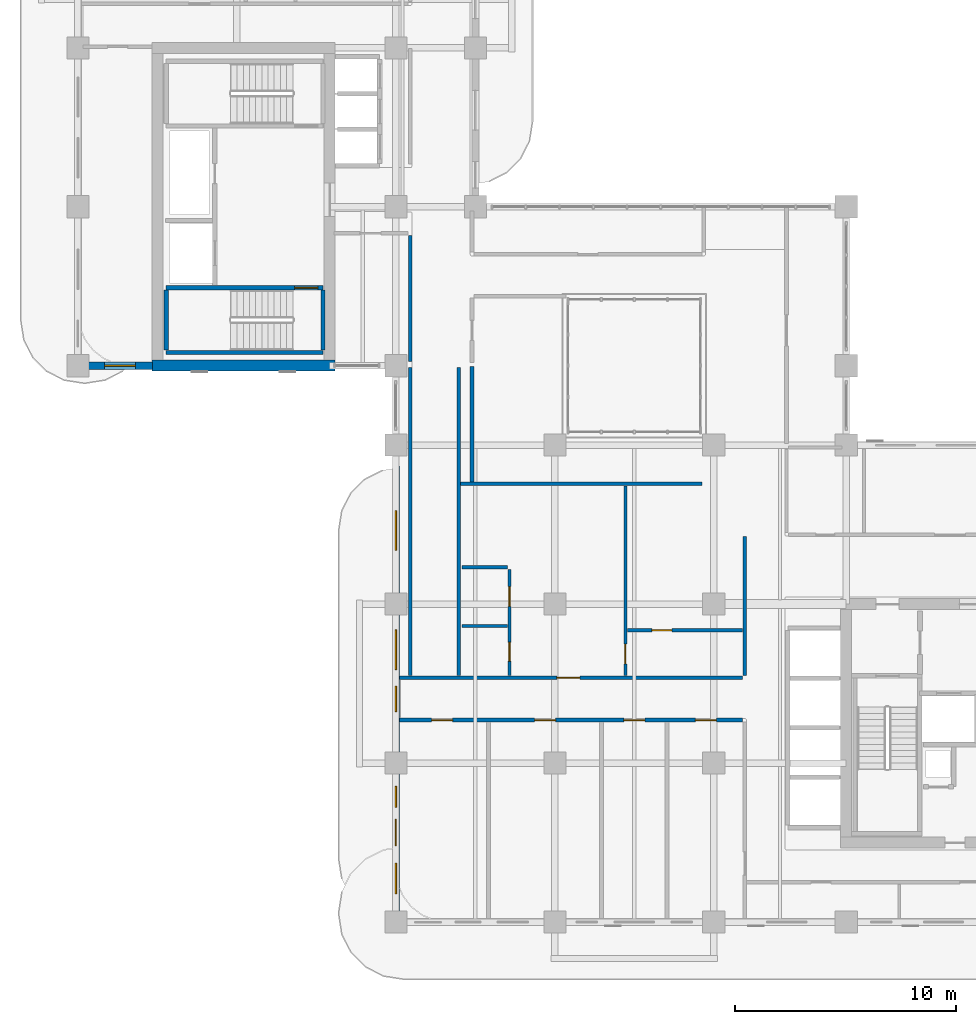
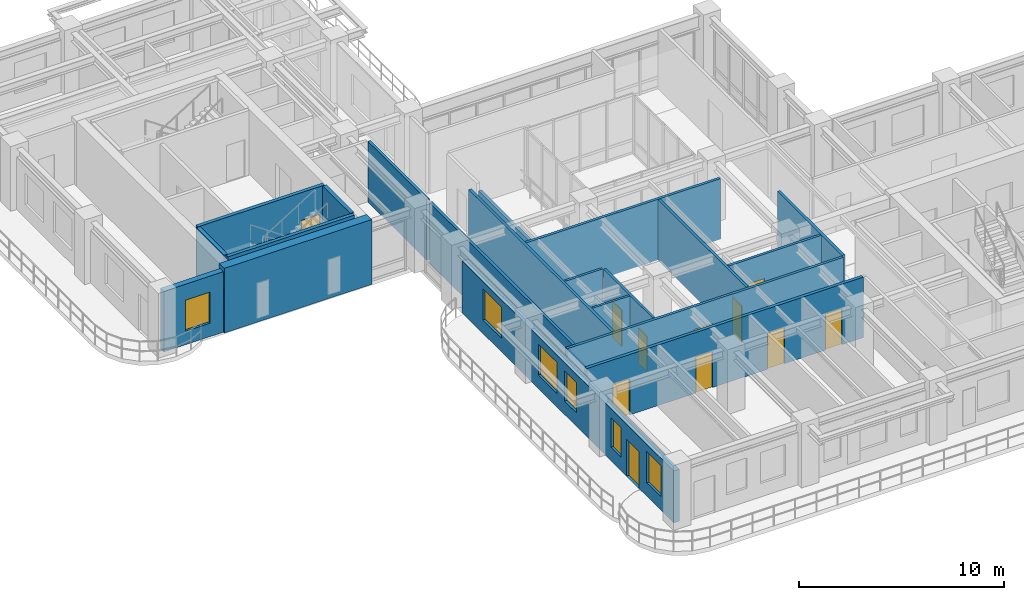
# One storey, part 11 of 20: 20 walls, 11 doors, 6 windows, 17 openings.
"""IFC4 building model written with IfcOpenShell, lengths in metres."""

from ifc_helpers import new_model, si_unit, derived_unit, direction, frame, frame_2d, origin, place, context, subcontext, project, spatial, rectangle, extrude, source, transform, mapped, material, layer, layer_set, type_object, type_shapes, element, fill, save


model = new_model("IFC4")

# Units and contexts
model_context = context("Model", 3, precision=1e-05, world=origin(), true_north=direction((0.0, 1.0)))
body_context = subcontext(model_context, "Body", "Model", "MODEL_VIEW")
ifc_project = project(units=[si_unit("LENGTHUNIT", "METRE"), si_unit("AREAUNIT", "SQUARE_METRE"), si_unit("VOLUMEUNIT", "CUBIC_METRE"), si_unit("PLANEANGLEUNIT", "RADIAN"), si_unit("MASSUNIT", "GRAM", prefix="KILO"), si_unit("THERMODYNAMICTEMPERATUREUNIT", "KELVIN"), si_unit("POWERUNIT", "WATT"), derived_unit("THERMALTRANSMITTANCEUNIT", [(si_unit("POWERUNIT", "WATT"), 1), (si_unit("AREAUNIT", "SQUARE_METRE"), -1), (si_unit("THERMODYNAMICTEMPERATUREUNIT", "KELVIN"), -1)])], contexts=[model_context])

# Site, building, storey
site_placement = place(None, origin())
site = spatial("IfcSite", under=ifc_project, at=site_placement, CompositionType="ELEMENT")
building_placement = place(site_placement, origin())
building = spatial("IfcBuilding", under=site, at=building_placement, Name="Zahravan Archway Hotel and Residences", CompositionType="ELEMENT")
storey_placement = place(building_placement, frame((0.0, 0.0, 161.85009765625)))
storey = spatial("IfcBuildingStorey", under=building, at=storey_placement, Name="L40", CompositionType="ELEMENT", Elevation=161.85009765625)

# Wall
ifc_material_1 = material(Name="Concrete C60/75", Category="concrete")
ifc_layer_1 = layer(ifc_material_1, 0.5, Name="Concrete C60/75", Category="concrete")
ifc_layer_set_1 = layer_set([ifc_layer_1], Name="Concrete C60/75")
wall_type_1 = type_object("IfcWallType", Name="CW-CORE-500", PredefinedType="SHEAR", material=ifc_layer_set_1)
wall_1_placement = place(storey_placement, frame((3.35009765625, 25.199951171875, 0.0), z_axis=(0.0, 0.0, 1.0), x_axis=(1.0, 0.0, 0.0)))
element("IfcWall", 1, at=wall_1_placement, inside=storey, type_object=wall_type_1, Name="L40 Core B Shear S Wall 500 mm", PredefinedType="SHEAR", context=body_context, shape_type="SweptSolid", body=[
    extrude(rectangle(XDim=8.2998046875, YDim=0.5, at=frame_2d((4.14990234375, 0.0))), origin(), (0.0, 0.0, 1.0), 3.849853515625),
])

# Wall, openings, door, windows
ifc_material_2 = material(Name="Agra Buff Sandstone & Insulated Backup", Category="masonry")
ifc_layer_2 = layer(ifc_material_2, 0.320068359375, Name="Agra Buff Sandstone & Insulated Backup", Category="masonry")
ifc_layer_set_2 = layer_set([ifc_layer_2], Name="Agra Buff Sandstone & Insulated Backup")
wall_type_2 = type_object("IfcWallType", Name="EW-SAND-320", PredefinedType="SOLIDWALL", material=ifc_layer_set_2)
wall_2_placement = place(storey_placement, frame((14.39990234375, 0.050048828125, 0.0), z_axis=(0.0, 0.0, 1.0), x_axis=(0.0, 1.0, 0.0)))
wall_2 = element("IfcWall", 2, at=wall_2_placement, inside=storey, type_object=wall_type_2, Name="L40 Exterior Sandstone Wall WA-WL", PredefinedType="SOLIDWALL", context=body_context, shape_type="SweptSolid", body=[
    extrude(rectangle(XDim=20.599853515625, YDim=0.320068359375, at=frame_2d((10.2998046875, 0.0))), origin(), (0.0, 0.0, 1.0), 3.0849609375),
])
opening_1_placement = place(wall_2_placement, frame((3.39990234375, 0.0, 0.0)))
opening_1 = element("IfcOpeningElement", 3, at=opening_1_placement, cuts=wall_2, Name="Opening ED-BL1", PredefinedType="OPENING", context=body_context, shape_type="SweptSolid", body=[
    extrude(rectangle(XDim=1.199951171875, YDim=2.199951171875, at=frame_2d((0.60009765625, 1.10009765625))), frame((0.0, 0.169921875, 0.0), z_axis=(0.0, -1.0, 0.0), x_axis=(1.0, 0.0, 0.0)), (0.0, 0.0, 1.0), 0.340087890625),
])
opening_2_placement = place(wall_2_placement, frame((1.22509765625, 0.0, 0.800048828125)))
opening_2 = element("IfcOpeningElement", 4, at=opening_2_placement, cuts=wall_2, Name="Opening W-03", PredefinedType="OPENING", context=body_context, shape_type="SweptSolid", body=[
    extrude(rectangle(XDim=1.39990234375, YDim=1.85009765625, at=frame_2d((0.699951171875, 0.925048828125))), frame((0.0, 0.169921875, 0.0), z_axis=(0.0, -1.0, 0.0), x_axis=(1.0, 0.0, 0.0)), (0.0, 0.0, 1.0), 0.340087890625),
])
opening_3_placement = place(wall_2_placement, frame((5.14990234375, 0.0, 0.800048828125)))
opening_3 = element("IfcOpeningElement", 5, at=opening_3_placement, cuts=wall_2, Name="Opening W-04", PredefinedType="OPENING", context=body_context, shape_type="SweptSolid", body=[
    extrude(rectangle(XDim=0.949951171875, YDim=1.75, at=frame_2d((0.47509765625, 0.875))), frame((0.0, 0.169921875, 0.0), z_axis=(0.0, -1.0, 0.0), x_axis=(1.0, 0.0, 0.0)), (0.0, 0.0, 1.0), 0.340087890625),
])
opening_4_placement = place(wall_2_placement, frame((9.485107421875, 0.0, 0.800048828125)))
opening_4 = element("IfcOpeningElement", 6, at=opening_4_placement, cuts=wall_2, Name="Opening W-05", PredefinedType="OPENING", context=body_context, shape_type="SweptSolid", body=[
    extrude(rectangle(XDim=1.14990234375, YDim=1.800048828125, at=frame_2d((0.574951171875, 0.89990234375))), frame((0.0, 0.169921875, 0.0), z_axis=(0.0, -1.0, 0.0), x_axis=(1.0, 0.0, 0.0)), (0.0, 0.0, 1.0), 0.340087890625),
])
opening_5_placement = place(wall_2_placement, frame((11.388916015625, 0.0, 0.800048828125)))
opening_5 = element("IfcOpeningElement", 7, at=opening_5_placement, cuts=wall_2, Name="Opening W-02", PredefinedType="OPENING", context=body_context, shape_type="SweptSolid", body=[
    extrude(rectangle(XDim=1.800048828125, YDim=1.85009765625, at=frame_2d((0.89990234375, 0.925048828125))), frame((0.0, 0.169921875, 0.0), z_axis=(0.0, -1.0, 0.0), x_axis=(1.0, 0.0, 0.0)), (0.0, 0.0, 1.0), 0.340087890625),
])
opening_6_placement = place(wall_2_placement, frame((16.7900390625, 0.0, 0.800048828125)))
opening_6 = element("IfcOpeningElement", 8, at=opening_6_placement, cuts=wall_2, Name="Opening W-02", PredefinedType="OPENING", context=body_context, shape_type="SweptSolid", body=[
    extrude(rectangle(XDim=1.800048828125, YDim=1.85009765625, at=frame_2d((0.89990234375, 0.925048828125))), frame((0.0, 0.169921875, 0.0), z_axis=(0.0, -1.0, 0.0), x_axis=(1.0, 0.0, 0.0)), (0.0, 0.0, 1.0), 0.340087890625),
])
ifc_material_3 = material(Name="Bronze-Anodized Glazed Aluminium", Category="aluminium")
door_type_1 = type_object("IfcDoorType", Name="ED-BALC-1200", OperationType="SLIDING_TO_LEFT", PredefinedType="DOOR", material=ifc_material_3)
shared_shape_1 = source(origin(), body_context, "Body", "SweptSolid", [
    extrude(rectangle(XDim=1.199951171875, YDim=2.199951171875, at=frame_2d((0.60009765625, 1.10009765625))), frame((0.0, 0.02490234375, 0.0), z_axis=(0.0, -1.0, 0.0), x_axis=(1.0, 0.0, 0.0)), (0.0, 0.0, 1.0), 0.050048828125),
])
type_shapes(door_type_1, [shared_shape_1])
door_1_placement = place(opening_1_placement, origin())
door_1 = element("IfcDoor", 9, at=door_1_placement, inside=storey, type_object=door_type_1, Name="L40 Outdoor Access Sliding Door (SLB-BAL-L40-WA)", OperationType="SLIDING_TO_LEFT", OverallHeight=2.199951171875, OverallWidth=1.199951171875, PredefinedType="DOOR", context=body_context, shape_type="MappedRepresentation", body=[
    mapped(shared_shape_1, transform((0.0, 0.0, 0.0), scale=1.0)),
])
fill(opening_1, door_1)
ifc_material_4 = material(Name="Bronze-Anodized Thermal-Break Aluminium & Low-E Glass", Category="aluminium")
window_type_1 = type_object("IfcWindowType", Name="WIN-TWR-1400", PartitioningType="SINGLE_PANEL", PredefinedType="WINDOW", material=ifc_material_4)
shared_shape_2 = source(origin(), body_context, "Body", "SweptSolid", [
    extrude(rectangle(XDim=1.39990234375, YDim=1.85009765625, at=frame_2d((0.699951171875, 0.925048828125))), frame((0.0, 0.030029296875, 0.0), z_axis=(0.0, -1.0, 0.0), x_axis=(1.0, 0.0, 0.0)), (0.0, 0.0, 1.0), 0.06005859375),
])
type_shapes(window_type_1, [shared_shape_2])
window_1_placement = place(opening_2_placement, origin())
window_1 = element("IfcWindow", 10, at=window_1_placement, inside=storey, type_object=window_type_1, Name="L40 Loggia Window 16", OverallHeight=1.85009765625, OverallWidth=1.39990234375, PartitioningType="SINGLE_PANEL", PredefinedType="WINDOW", context=body_context, shape_type="MappedRepresentation", body=[
    mapped(shared_shape_2, transform((0.0, 0.0, 0.0), scale=1.0)),
])
fill(opening_2, window_1)
window_type_2 = type_object("IfcWindowType", Name="WIN-NAR-950", PartitioningType="SINGLE_PANEL", PredefinedType="WINDOW", material=ifc_material_4)
shared_shape_3 = source(origin(), body_context, "Body", "SweptSolid", [
    extrude(rectangle(XDim=0.949951171875, YDim=1.75, at=frame_2d((0.47509765625, 0.875))), frame((0.0, 0.030029296875, 0.0), z_axis=(0.0, -1.0, 0.0), x_axis=(1.0, 0.0, 0.0)), (0.0, 0.0, 1.0), 0.06005859375),
])
type_shapes(window_type_2, [shared_shape_3])
window_2_placement = place(opening_3_placement, origin())
window_2 = element("IfcWindow", 11, at=window_2_placement, inside=storey, type_object=window_type_2, Name="L40 Loggia Window 17", OverallHeight=1.75, OverallWidth=0.949951171875, PartitioningType="SINGLE_PANEL", PredefinedType="WINDOW", context=body_context, shape_type="MappedRepresentation", body=[
    mapped(shared_shape_3, transform((0.0, 0.0, 0.0), scale=1.0)),
])
fill(opening_3, window_2)
window_type_3 = type_object("IfcWindowType", Name="WIN-TWR-1800", PartitioningType="DOUBLE_PANEL_VERTICAL", PredefinedType="WINDOW", material=ifc_material_4)
shared_shape_4 = source(origin(), body_context, "Body", "SweptSolid", [
    extrude(rectangle(XDim=1.800048828125, YDim=1.85009765625, at=frame_2d((0.89990234375, 0.925048828125))), frame((0.0, 0.030029296875, 0.0), z_axis=(0.0, -1.0, 0.0), x_axis=(1.0, 0.0, 0.0)), (0.0, 0.0, 1.0), 0.06005859375),
])
type_shapes(window_type_3, [shared_shape_4])
window_3_placement = place(opening_5_placement, origin())
window_3 = element("IfcWindow", 12, at=window_3_placement, inside=storey, type_object=window_type_3, Name="L40 Loggia Window 19", OverallHeight=1.85009765625, OverallWidth=1.800048828125, PartitioningType="DOUBLE_PANEL_VERTICAL", PredefinedType="WINDOW", context=body_context, shape_type="MappedRepresentation", body=[
    mapped(shared_shape_4, transform((0.0, 0.0, 0.0), scale=1.0)),
])
fill(opening_5, window_3)
window_4_placement = place(opening_6_placement, origin())
window_4 = element("IfcWindow", 13, at=window_4_placement, inside=storey, type_object=window_type_3, Name="L40 Loggia Window 20", OverallHeight=1.85009765625, OverallWidth=1.800048828125, PartitioningType="DOUBLE_PANEL_VERTICAL", PredefinedType="WINDOW", context=body_context, shape_type="MappedRepresentation", body=[
    mapped(shared_shape_4, transform((0.0, 0.0, 0.0), scale=1.0)),
])
fill(opening_6, window_4)
window_type_4 = type_object("IfcWindowType", Name="WIN-TWR-1150", PartitioningType="SINGLE_PANEL", PredefinedType="WINDOW", material=ifc_material_4)
shared_shape_5 = source(origin(), body_context, "Body", "SweptSolid", [
    extrude(rectangle(XDim=1.14990234375, YDim=1.800048828125, at=frame_2d((0.574951171875, 0.89990234375))), frame((0.0, 0.030029296875, 0.0), z_axis=(0.0, -1.0, 0.0), x_axis=(1.0, 0.0, 0.0)), (0.0, 0.0, 1.0), 0.06005859375),
])
type_shapes(window_type_4, [shared_shape_5])
window_5_placement = place(opening_4_placement, origin())
window_5 = element("IfcWindow", 14, at=window_5_placement, inside=storey, type_object=window_type_4, Name="L40 Loggia Window 18", OverallHeight=1.800048828125, OverallWidth=1.14990234375, PartitioningType="SINGLE_PANEL", PredefinedType="WINDOW", context=body_context, shape_type="MappedRepresentation", body=[
    mapped(shared_shape_5, transform((0.0, 0.0, 0.0), scale=1.0)),
])
fill(opening_4, window_5)

# Wall, opening, window
wall_3_placement = place(storey_placement, frame((0.0, 25.199951171875, 0.0), z_axis=(0.0, 0.0, 1.0), x_axis=(1.0, 0.0, 0.0)))
wall_3 = element("IfcWall", 15, at=wall_3_placement, inside=storey, type_object=wall_type_2, Name="L40 Exterior Sandstone Wall WB-SW", PredefinedType="SOLIDWALL", context=body_context, shape_type="SweptSolid", body=[
    extrude(rectangle(XDim=3.3798828125, YDim=0.320068359375, at=frame_2d((1.68994140625, 0.0))), origin(), (0.0, 0.0, 1.0), 3.599853515625),
])
opening_7_placement = place(wall_3_placement, frame((1.205078125, 0.0, 0.800048828125)))
opening_7 = element("IfcOpeningElement", 16, at=opening_7_placement, cuts=wall_3, Name="Opening W-03", PredefinedType="OPENING", context=body_context, shape_type="SweptSolid", body=[
    extrude(rectangle(XDim=1.39990234375, YDim=1.85009765625, at=frame_2d((0.699951171875, 0.925048828125))), frame((0.0, 0.169921875, 0.0), z_axis=(0.0, -1.0, 0.0), x_axis=(1.0, 0.0, 0.0)), (0.0, 0.0, 1.0), 0.340087890625),
])
window_6_placement = place(opening_7_placement, origin())
window_6 = element("IfcWindow", 17, at=window_6_placement, inside=storey, type_object=window_type_1, Name="L40 Loggia Window 21", OverallHeight=1.85009765625, OverallWidth=1.39990234375, PartitioningType="SINGLE_PANEL", PredefinedType="WINDOW", context=body_context, shape_type="MappedRepresentation", body=[
    mapped(shared_shape_2, transform((0.0, 0.0, 0.0), scale=1.0)),
])
fill(opening_7, window_6)

# Wall, opening, door
ifc_material_5 = material(Name="Fire-Rated Gypsum & Concrete Block", Category="concrete")
ifc_layer_3 = layer(ifc_material_5, 0.159912109375, Name="Fire-Rated Gypsum & Concrete Block", Category="concrete")
ifc_layer_set_3 = layer_set([ifc_layer_3], Name="Fire-Rated Gypsum & Concrete Block")
wall_type_3 = type_object("IfcWallType", Name="PW-CORR-160", PredefinedType="PARTITIONING", material=ifc_layer_set_3)
wall_4_placement = place(storey_placement, frame((14.568115234375, 11.070068359375, 0.0), z_axis=(0.0, 0.0, 1.0), x_axis=(1.0, 0.0, 0.0)))
wall_4 = element("IfcWall", 18, at=wall_4_placement, inside=storey, type_object=wall_type_3, Name="L40 Partition WA-CN", PredefinedType="PARTITIONING", context=body_context, shape_type="SweptSolid", body=[
    extrude(rectangle(XDim=15.5419921875, YDim=0.159912109375, at=frame_2d((7.77099609375, 0.0))), origin(), (0.0, 0.0, 1.0), 3.599853515625),
])
opening_8_placement = place(wall_4_placement, frame((7.1220703125, 0.0, 0.0)))
opening_8 = element("IfcOpeningElement", 19, at=opening_8_placement, cuts=wall_4, Name="Opening D-U1", PredefinedType="OPENING", context=body_context, shape_type="SweptSolid", body=[
    extrude(rectangle(XDim=1.050048828125, YDim=2.25, at=frame_2d((0.52490234375, 1.125))), frame((0.0, 0.08984375, 0.0), z_axis=(0.0, -1.0, 0.0), x_axis=(1.0, 0.0, 0.0)), (0.0, 0.0, 1.0), 0.179931640625),
])
ifc_material_6 = material(Name="Hardwood Veneer Timber", Category="wood")
door_type_2 = type_object("IfcDoorType", Name="ID-UNIT-1050", OperationType="NOTDEFINED", PredefinedType="DOOR", material=ifc_material_6)
shared_shape_6 = source(origin(), body_context, "Body", "SweptSolid", [
    extrude(rectangle(XDim=1.050048828125, YDim=2.25, at=frame_2d((0.52490234375, 1.125))), frame((0.0, 0.02490234375, 0.0), z_axis=(0.0, -1.0, 0.0), x_axis=(1.0, 0.0, 0.0)), (0.0, 0.0, 1.0), 0.050048828125),
])
type_shapes(door_type_2, [shared_shape_6])
door_2_placement = place(opening_8_placement, origin())
door_2 = element("IfcDoor", 20, at=door_2_placement, inside=storey, type_object=door_type_2, Name="L40 Flat AT1 Entrance Door", OperationType="SINGLE_SWING_LEFT", OverallHeight=2.25, OverallWidth=1.050048828125, PredefinedType="DOOR", context=body_context, shape_type="MappedRepresentation", body=[
    mapped(shared_shape_6, transform((0.0, 0.0, 0.0), scale=1.0)),
])
fill(opening_8, door_2)

# Walls
wall_5_placement = place(storey_placement, frame((30.199951171875, 11.159912109375, 0.0), z_axis=(0.0, 0.0, 1.0), x_axis=(0.0, 1.0, 0.0)))
element("IfcWall", 21, at=wall_5_placement, inside=storey, type_object=wall_type_3, Name="L40 Partition WA-FW", PredefinedType="PARTITIONING", context=body_context, shape_type="SweptSolid", body=[
    extrude(rectangle(XDim=6.300048828125, YDim=0.159912109375, at=frame_2d((3.14990234375, 0.0))), origin(), (0.0, 0.0, 1.0), 3.599853515625),
])
for number, where, z_axis, x_axis, name in (
    (22, (15.050048828125, 11.159912109375, 0.0), (0.0, 0.0, 1.0), (0.0, 1.0, 0.0), "L40 Partition LNK-W"),
    (23, (17.25, 11.159912109375, 0.0), (0.0, 0.0, 1.0), (0.0, 1.0, 0.0), "L40 Partition LNK-E"),
):
    element("IfcWall", number, at=place(storey_placement, frame(where, z_axis=z_axis, x_axis=x_axis)), inside=storey, type_object=wall_type_3, Name=name, PredefinedType="PARTITIONING", context=body_context, shape_type="SweptSolid", body=[
        extrude(rectangle(XDim=13.9501953125, YDim=0.159912109375, at=frame_2d((6.97509765625, 0.0))), origin(), (0.0, 0.0, 1.0), 3.599853515625),
    ])
wall_6_placement = place(storey_placement, frame((15.050048828125, 25.389892578125, 0.0), z_axis=(0.0, 0.0, 1.0), x_axis=(0.0, 1.0, 0.0)))
element("IfcWall", 24, at=wall_6_placement, inside=storey, type_object=wall_type_3, Name="L40 Partition FB1-E", PredefinedType="PARTITIONING", context=body_context, shape_type="SweptSolid", body=[
    extrude(rectangle(XDim=5.72021484375, YDim=0.159912109375, at=frame_2d((2.860107421875, 0.0))), origin(), (0.0, 0.0, 1.0), 3.599853515625),
])
wall_7_placement = place(storey_placement, frame((17.340087890625, 19.85009765625, 0.0), z_axis=(0.0, 0.0, 1.0), x_axis=(1.0, 0.0, 0.0)))
element("IfcWall", 25, at=wall_7_placement, inside=storey, type_object=wall_type_3, Name="L40 Partition ATR-S", PredefinedType="PARTITIONING", context=body_context, shape_type="SweptSolid", body=[
    extrude(rectangle(XDim=10.919921875, YDim=0.159912109375, at=frame_2d((5.4599609375, 0.0))), origin(), (0.0, 0.0, 1.0), 3.599853515625),
])

# Wall, openings, doors
ifc_layer_4 = layer(ifc_material_5, 0.179931640625, Name="Fire-Rated Gypsum & Concrete Block", Category="concrete")
ifc_layer_set_4 = layer_set([ifc_layer_4], Name="Fire-Rated Gypsum & Concrete Block")
wall_type_4 = type_object("IfcWallType", Name="PW-CORR-180", PredefinedType="PARTITIONING", material=ifc_layer_set_4)
wall_8_placement = place(storey_placement, frame((14.568115234375, 9.14990234375, 0.0), z_axis=(0.0, 0.0, 1.0), x_axis=(1.0, 0.0, 0.0)))
wall_8 = element("IfcWall", 26, at=wall_8_placement, inside=storey, type_object=wall_type_4, Name="L40 Partition WA-CS", PredefinedType="PARTITIONING", context=body_context, shape_type="SweptSolid", body=[
    extrude(rectangle(XDim=15.5419921875, YDim=0.179931640625, at=frame_2d((7.77099609375, 0.0))), origin(), (0.0, 0.0, 1.0), 3.599853515625),
])
opening_9_placement = place(wall_8_placement, frame((1.45703125, 0.0, 0.0)))
opening_9 = element("IfcOpeningElement", 27, at=opening_9_placement, cuts=wall_8, Name="Opening D-I1", PredefinedType="OPENING", context=body_context, shape_type="SweptSolid", body=[
    extrude(rectangle(XDim=0.949951171875, YDim=2.14990234375, at=frame_2d((0.47509765625, 1.074951171875))), frame((0.0, 0.10009765625, 0.0), z_axis=(0.0, -1.0, 0.0), x_axis=(1.0, 0.0, 0.0)), (0.0, 0.0, 1.0), 0.199951171875),
])
opening_10_placement = place(wall_8_placement, frame((6.116943359375, 0.0, 0.0)))
opening_10 = element("IfcOpeningElement", 28, at=opening_10_placement, cuts=wall_8, Name="Opening D-I1", PredefinedType="OPENING", context=body_context, shape_type="SweptSolid", body=[
    extrude(rectangle(XDim=0.949951171875, YDim=2.14990234375, at=frame_2d((0.47509765625, 1.074951171875))), frame((0.0, 0.10009765625, 0.0), z_axis=(0.0, -1.0, 0.0), x_axis=(1.0, 0.0, 0.0)), (0.0, 0.0, 1.0), 0.199951171875),
])
opening_11_placement = place(wall_8_placement, frame((10.156982421875, 0.0, 0.0)))
opening_11 = element("IfcOpeningElement", 29, at=opening_11_placement, cuts=wall_8, Name="Opening D-I1", PredefinedType="OPENING", context=body_context, shape_type="SweptSolid", body=[
    extrude(rectangle(XDim=0.949951171875, YDim=2.14990234375, at=frame_2d((0.47509765625, 1.074951171875))), frame((0.0, 0.10009765625, 0.0), z_axis=(0.0, -1.0, 0.0), x_axis=(1.0, 0.0, 0.0)), (0.0, 0.0, 1.0), 0.199951171875),
])
opening_12_placement = place(wall_8_placement, frame((13.39697265625, 0.0, 0.0)))
opening_12 = element("IfcOpeningElement", 30, at=opening_12_placement, cuts=wall_8, Name="Opening D-I1", PredefinedType="OPENING", context=body_context, shape_type="SweptSolid", body=[
    extrude(rectangle(XDim=0.949951171875, YDim=2.14990234375, at=frame_2d((0.47509765625, 1.074951171875))), frame((0.0, 0.10009765625, 0.0), z_axis=(0.0, -1.0, 0.0), x_axis=(1.0, 0.0, 0.0)), (0.0, 0.0, 1.0), 0.199951171875),
])
door_type_3 = type_object("IfcDoorType", Name="ID-INT-950", OperationType="NOTDEFINED", PredefinedType="DOOR", material=ifc_material_6)
shared_shape_7 = source(origin(), body_context, "Body", "SweptSolid", [
    extrude(rectangle(XDim=0.949951171875, YDim=2.14990234375, at=frame_2d((0.47509765625, 1.074951171875))), frame((0.0, 0.02490234375, 0.0), z_axis=(0.0, -1.0, 0.0), x_axis=(1.0, 0.0, 0.0)), (0.0, 0.0, 1.0), 0.050048828125),
])
type_shapes(door_type_3, [shared_shape_7])
door_3_placement = place(opening_9_placement, origin())
door_3 = element("IfcDoor", 31, at=door_3_placement, inside=storey, type_object=door_type_3, Name="L40 Office 1 Door", OperationType="SINGLE_SWING_RIGHT", OverallHeight=2.14990234375, OverallWidth=0.949951171875, PredefinedType="DOOR", context=body_context, shape_type="MappedRepresentation", body=[
    mapped(shared_shape_7, transform((0.0, 0.0, 0.0), scale=1.0)),
])
fill(opening_9, door_3)
door_4_placement = place(opening_10_placement, origin())
door_4 = element("IfcDoor", 32, at=door_4_placement, inside=storey, type_object=door_type_3, Name="L40 Office 2 Door", OperationType="SINGLE_SWING_LEFT", OverallHeight=2.14990234375, OverallWidth=0.949951171875, PredefinedType="DOOR", context=body_context, shape_type="MappedRepresentation", body=[
    mapped(shared_shape_7, transform((0.0, 0.0, 0.0), scale=1.0)),
])
fill(opening_10, door_4)
door_5_placement = place(opening_11_placement, origin())
door_5 = element("IfcDoor", 33, at=door_5_placement, inside=storey, type_object=door_type_3, Name="L40 Office 3 Door", OperationType="SINGLE_SWING_RIGHT", OverallHeight=2.14990234375, OverallWidth=0.949951171875, PredefinedType="DOOR", context=body_context, shape_type="MappedRepresentation", body=[
    mapped(shared_shape_7, transform((0.0, 0.0, 0.0), scale=1.0)),
])
fill(opening_11, door_5)
door_6_placement = place(opening_12_placement, origin())
door_6 = element("IfcDoor", 34, at=door_6_placement, inside=storey, type_object=door_type_3, Name="L40 Boardroom Door", OperationType="SINGLE_SWING_LEFT", OverallHeight=2.14990234375, OverallWidth=0.949951171875, PredefinedType="DOOR", context=body_context, shape_type="MappedRepresentation", body=[
    mapped(shared_shape_7, transform((0.0, 0.0, 0.0), scale=1.0)),
])
fill(opening_12, door_6)

# Wall, opening, door
ifc_material_7 = material(Name="Acoustic Stud Partition")
ifc_layer_5 = layer(ifc_material_7, 0.14990234375, Name="Acoustic Stud Partition")
ifc_layer_set_5 = layer_set([ifc_layer_5], Name="Acoustic Stud Partition")
wall_type_5 = type_object("IfcWallType", Name="PW-UNIT-150", PredefinedType="PARTITIONING", material=ifc_layer_set_5)
wall_9_placement = place(storey_placement, frame((24.800048828125, 11.159912109375, 0.0), z_axis=(0.0, 0.0, 1.0), x_axis=(0.0, 1.0, 0.0)))
wall_9 = element("IfcWall", 35, at=wall_9_placement, inside=storey, type_object=wall_type_5, Name="L40 Partition FL-AT1-SP", PredefinedType="PARTITIONING", context=body_context, shape_type="SweptSolid", body=[
    extrude(rectangle(XDim=8.60009765625, YDim=0.14990234375, at=frame_2d((4.300048828125, 0.0))), origin(), (0.0, 0.0, 1.0), 3.599853515625),
])
opening_13_placement = place(wall_9_placement, frame((0.534912109375, 0.0, 0.0)))
opening_13 = element("IfcOpeningElement", 36, at=opening_13_placement, cuts=wall_9, Name="Opening D-I2", PredefinedType="OPENING", context=body_context, shape_type="SweptSolid", body=[
    extrude(rectangle(XDim=0.89990234375, YDim=2.14990234375, at=frame_2d((0.449951171875, 1.074951171875))), frame((0.0, 0.0849609375, 0.0), z_axis=(0.0, -1.0, 0.0), x_axis=(1.0, 0.0, 0.0)), (0.0, 0.0, 1.0), 0.169921875),
])
door_type_4 = type_object("IfcDoorType", Name="ID-INT-900", OperationType="NOTDEFINED", PredefinedType="DOOR", material=ifc_material_6)
shared_shape_8 = source(origin(), body_context, "Body", "SweptSolid", [
    extrude(rectangle(XDim=0.89990234375, YDim=2.14990234375, at=frame_2d((0.449951171875, 1.074951171875))), frame((0.0, 0.02490234375, 0.0), z_axis=(0.0, -1.0, 0.0), x_axis=(1.0, 0.0, 0.0)), (0.0, 0.0, 1.0), 0.050048828125),
])
type_shapes(door_type_4, [shared_shape_8])
door_7_placement = place(opening_13_placement, origin())
door_7 = element("IfcDoor", 37, at=door_7_placement, inside=storey, type_object=door_type_4, Name="L40 Flat AT1 Bedroom Hall Door", OperationType="SINGLE_SWING_RIGHT", OverallHeight=2.14990234375, OverallWidth=0.89990234375, PredefinedType="DOOR", context=body_context, shape_type="MappedRepresentation", body=[
    mapped(shared_shape_8, transform((0.0, 0.0, 0.0), scale=1.0)),
])
fill(opening_13, door_7)

wall_10_placement = place(storey_placement, frame((24.889892578125, 13.219970703125, 0.0), z_axis=(0.0, 0.0, 1.0), x_axis=(1.0, 0.0, 0.0)))
wall_10 = element("IfcWall", 38, at=wall_10_placement, inside=storey, type_object=wall_type_5, Name="L40 Partition FL-AT1-GH", PredefinedType="PARTITIONING", context=body_context, shape_type="SweptSolid", body=[
    extrude(rectangle(XDim=5.22021484375, YDim=0.14990234375, at=frame_2d((2.610107421875, 0.0))), origin(), (0.0, 0.0, 1.0), 3.599853515625),
])
opening_14_placement = place(wall_10_placement, frame((1.110107421875, 0.0, 0.0)))
opening_14 = element("IfcOpeningElement", 39, at=opening_14_placement, cuts=wall_10, Name="Opening D-I2", PredefinedType="OPENING", context=body_context, shape_type="SweptSolid", body=[
    extrude(rectangle(XDim=0.89990234375, YDim=2.14990234375, at=frame_2d((0.449951171875, 1.074951171875))), frame((0.0, 0.0849609375, 0.0), z_axis=(0.0, -1.0, 0.0), x_axis=(1.0, 0.0, 0.0)), (0.0, 0.0, 1.0), 0.169921875),
])
door_8_placement = place(opening_14_placement, origin())
door_8 = element("IfcDoor", 40, at=door_8_placement, inside=storey, type_object=door_type_4, Name="L40 Flat AT1 Bedroom 1 Door", OperationType="SINGLE_SWING_LEFT", OverallHeight=2.14990234375, OverallWidth=0.89990234375, PredefinedType="DOOR", context=body_context, shape_type="MappedRepresentation", body=[
    mapped(shared_shape_8, transform((0.0, 0.0, 0.0), scale=1.0)),
])
fill(opening_14, door_8)

# Wall
ifc_layer_6 = layer(ifc_material_7, 0.169921875, Name="Acoustic Stud Partition")
ifc_layer_set_6 = layer_set([ifc_layer_6], Name="Acoustic Stud Partition")
wall_type_6 = type_object("IfcWallType", Name="PW-UNIT-170", PredefinedType="PARTITIONING", material=ifc_layer_set_6)
wall_11_placement = place(storey_placement, frame((17.85009765625, 19.93994140625, 0.0), z_axis=(0.0, 0.0, 1.0), x_axis=(0.0, 1.0, 0.0)))
element("IfcWall", 41, at=wall_11_placement, inside=storey, type_object=wall_type_6, Name="L40 Partition ATR-NWSL", PredefinedType="PARTITIONING", context=body_context, shape_type="SweptSolid", body=[
    extrude(rectangle(XDim=5.219970703125, YDim=0.169921875, at=frame_2d((2.60986328125, 0.0))), origin(), (0.0, 0.0, 1.0), 3.284912109375),
])

# Wall, openings, doors
ifc_material_8 = material(Name="Moisture-Resistant Blockwork", Category="masonry")
ifc_layer_7 = layer(ifc_material_8, 0.139892578125, Name="Moisture-Resistant Blockwork", Category="masonry")
ifc_layer_set_7 = layer_set([ifc_layer_7], Name="Moisture-Resistant Blockwork")
wall_type_7 = type_object("IfcWallType", Name="PW-WET-140", PredefinedType="PARTITIONING", material=ifc_layer_set_7)
wall_12_placement = place(storey_placement, frame((19.550048828125, 11.159912109375, 0.0), z_axis=(0.0, 0.0, 1.0), x_axis=(0.0, 1.0, 0.0)))
wall_12 = element("IfcWall", 42, at=wall_12_placement, inside=storey, type_object=wall_type_7, Name="L40 Partition FL-AT1-BV", PredefinedType="PARTITIONING", context=body_context, shape_type="SweptSolid", body=[
    extrude(rectangle(XDim=4.820068359375, YDim=0.139892578125, at=frame_2d((2.41015625, 0.0))), origin(), (0.0, 0.0, 1.0), 3.599853515625),
])
opening_15_placement = place(wall_12_placement, frame((0.659912109375, 0.0, 0.0)))
opening_15 = element("IfcOpeningElement", 43, at=opening_15_placement, cuts=wall_12, Name="Opening D-B1", PredefinedType="OPENING", context=body_context, shape_type="SweptSolid", body=[
    extrude(rectangle(XDim=0.85009765625, YDim=2.10009765625, at=frame_2d((0.425048828125, 1.050048828125))), frame((0.0, 0.080078125, 0.0), z_axis=(0.0, -1.0, 0.0), x_axis=(1.0, 0.0, 0.0)), (0.0, 0.0, 1.0), 0.159912109375),
])
opening_16_placement = place(wall_12_placement, frame((3.135009765625, 0.0, 0.0)))
opening_16 = element("IfcOpeningElement", 44, at=opening_16_placement, cuts=wall_12, Name="Opening D-I2", PredefinedType="OPENING", context=body_context, shape_type="SweptSolid", body=[
    extrude(rectangle(XDim=0.89990234375, YDim=2.14990234375, at=frame_2d((0.449951171875, 1.074951171875))), frame((0.0, 0.080078125, 0.0), z_axis=(0.0, -1.0, 0.0), x_axis=(1.0, 0.0, 0.0)), (0.0, 0.0, 1.0), 0.159912109375),
])
door_type_5 = type_object("IfcDoorType", Name="ID-BATH-850", OperationType="NOTDEFINED", PredefinedType="DOOR", material=ifc_material_6)
shared_shape_9 = source(origin(), body_context, "Body", "SweptSolid", [
    extrude(rectangle(XDim=0.85009765625, YDim=2.10009765625, at=frame_2d((0.425048828125, 1.050048828125))), frame((0.0, 0.02490234375, 0.0), z_axis=(0.0, -1.0, 0.0), x_axis=(1.0, 0.0, 0.0)), (0.0, 0.0, 1.0), 0.050048828125),
])
type_shapes(door_type_5, [shared_shape_9])
door_9_placement = place(opening_15_placement, origin())
door_9 = element("IfcDoor", 45, at=door_9_placement, inside=storey, type_object=door_type_5, Name="L40 Flat AT1 Bathroom Door", OperationType="SINGLE_SWING_LEFT", OverallHeight=2.10009765625, OverallWidth=0.85009765625, PredefinedType="DOOR", context=body_context, shape_type="MappedRepresentation", body=[
    mapped(shared_shape_9, transform((0.0, 0.0, 0.0), scale=1.0)),
])
fill(opening_15, door_9)
door_10_placement = place(opening_16_placement, origin())
door_10 = element("IfcDoor", 46, at=door_10_placement, inside=storey, type_object=door_type_4, Name="L40 Flat AT1 Kitchen Door", OperationType="SINGLE_SWING_RIGHT", OverallHeight=2.14990234375, OverallWidth=0.89990234375, PredefinedType="DOOR", context=body_context, shape_type="MappedRepresentation", body=[
    mapped(shared_shape_8, transform((0.0, 0.0, 0.0), scale=1.0)),
])
fill(opening_16, door_10)

# Walls
for number, where, z_axis, x_axis, name in (
    (47, (17.389892578125, 13.419921875, 0.0), (0.0, 0.0, 1.0), (1.0, 0.0, 0.0), "L40 Partition FL-AT1-BM"),
    (48, (17.389892578125, 16.070068359375, 0.0), (0.0, 0.0, 1.0), (1.0, 0.0, 0.0), "L40 Partition FL-AT1-KH"),
):
    element("IfcWall", number, at=place(storey_placement, frame(where, z_axis=z_axis, x_axis=x_axis)), inside=storey, type_object=wall_type_7, Name=name, PredefinedType="PARTITIONING", context=body_context, shape_type="SweptSolid", body=[
        extrude(rectangle(XDim=2.070068359375, YDim=0.139892578125, at=frame_2d((1.03515625, 0.0))), origin(), (0.0, 0.0, 1.0), 3.599853515625),
    ])
ifc_material_9 = material(Name="Concrete C50/60", Category="concrete")
ifc_layer_8 = layer(ifc_material_9, 0.199951171875, Name="Concrete C50/60", Category="concrete")
ifc_layer_set_8 = layer_set([ifc_layer_8], Name="Concrete C50/60")
wall_type_8 = type_object("IfcWallType", Name="SW-STAIR-200", PredefinedType="SHEAR", material=ifc_layer_set_8)
wall_13_placement = place(storey_placement, frame((4.0, 25.800048828125, 0.0), z_axis=(0.0, 0.0, 1.0), x_axis=(1.0, 0.0, 0.0)))
element("IfcWall", 49, at=wall_13_placement, inside=storey, type_object=wall_type_8, Name="L40 Stairwell RC Wall CB-SB1S", PredefinedType="SHEAR", context=body_context, shape_type="SweptSolid", body=[
    extrude(rectangle(XDim=7.10009765625, YDim=0.199951171875, at=frame_2d((3.550048828125, 0.0))), origin(), (0.0, 0.0, 1.0), 3.849853515625),
])
for number, where, z_axis, x_axis, name in (
    (50, (4.0, 25.919921875, 0.0), (0.0, 0.0, 1.0), (0.0, 1.0, 0.0), "L40 Stairwell RC Wall CB-SB1W"),
    (51, (11.10009765625, 25.919921875, 0.0), (0.0, 0.0, 1.0), (0.0, 1.0, 0.0), "L40 Stairwell RC Wall CB-SB1E"),
):
    element("IfcWall", number, at=place(storey_placement, frame(where, z_axis=z_axis, x_axis=x_axis)), inside=storey, type_object=wall_type_8, Name=name, PredefinedType="SHEAR", context=body_context, shape_type="SweptSolid", body=[
        extrude(rectangle(XDim=2.7001953125, YDim=0.199951171875, at=frame_2d((1.35009765625, 0.0))), origin(), (0.0, 0.0, 1.0), 3.849853515625),
    ])

# Wall, opening, door
wall_14_placement = place(storey_placement, frame((4.0, 28.739990234375, 0.0), z_axis=(0.0, 0.0, 1.0), x_axis=(1.0, 0.0, 0.0)))
wall_14 = element("IfcWall", 52, at=wall_14_placement, inside=storey, type_object=wall_type_8, Name="L40 Stairwell RC Wall CB-SB1N", PredefinedType="SHEAR", context=body_context, shape_type="SweptSolid", body=[
    extrude(rectangle(XDim=7.10009765625, YDim=0.199951171875, at=frame_2d((3.550048828125, 0.0))), origin(), (0.0, 0.0, 1.0), 3.849853515625),
])
opening_17_placement = place(wall_14_placement, frame((5.81494140625, 0.0, 0.0)))
opening_17 = element("IfcOpeningElement", 53, at=opening_17_placement, cuts=wall_14, Name="Opening FD-S1", PredefinedType="OPENING", context=body_context, shape_type="SweptSolid", body=[
    extrude(rectangle(XDim=1.050048828125, YDim=2.199951171875, at=frame_2d((0.52490234375, 1.10009765625))), frame((0.0, 0.10986328125, 0.0), z_axis=(0.0, -1.0, 0.0), x_axis=(1.0, 0.0, 0.0)), (0.0, 0.0, 1.0), 0.219970703125),
])
ifc_material_10 = material(Name="Fire-Rated Painted Steel", Category="steel")
door_type_6 = type_object("IfcDoorType", Name="FD-STAIR-1100", OperationType="NOTDEFINED", PredefinedType="DOOR", material=ifc_material_10)
shared_shape_10 = source(origin(), body_context, "Body", "SweptSolid", [
    extrude(rectangle(XDim=1.050048828125, YDim=2.199951171875, at=frame_2d((0.52490234375, 1.10009765625))), frame((0.0, 0.02490234375, 0.0), z_axis=(0.0, -1.0, 0.0), x_axis=(1.0, 0.0, 0.0)), (0.0, 0.0, 1.0), 0.050048828125),
])
type_shapes(door_type_6, [shared_shape_10])
door_11_placement = place(opening_17_placement, origin())
door_11 = element("IfcDoor", 54, at=door_11_placement, inside=storey, type_object=door_type_6, Name="L40 Stair ST-B1 Door", OperationType="SINGLE_SWING_LEFT", OverallHeight=2.199951171875, OverallWidth=1.050048828125, PredefinedType="DOOR", context=body_context, shape_type="MappedRepresentation", body=[
    mapped(shared_shape_10, transform((0.0, 0.0, 0.0), scale=1.0)),
])
fill(opening_17, door_11)

save(model, "model.ifc")
